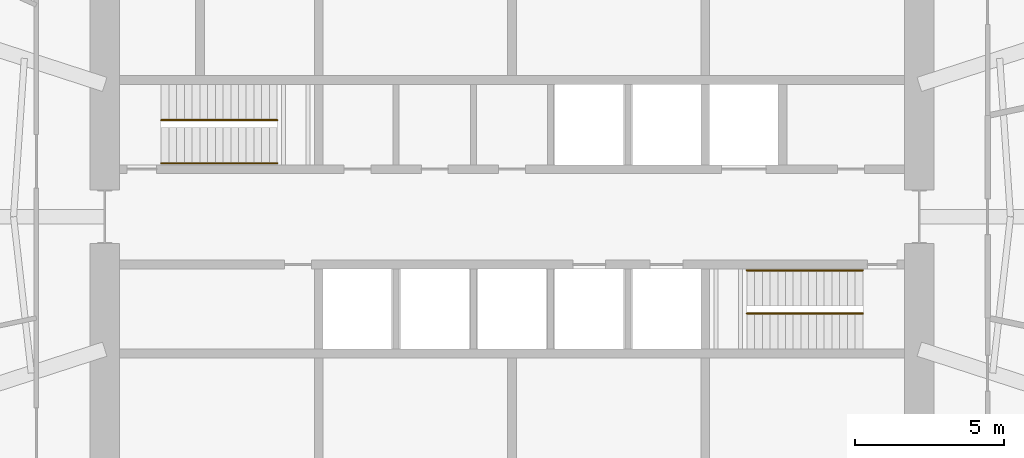
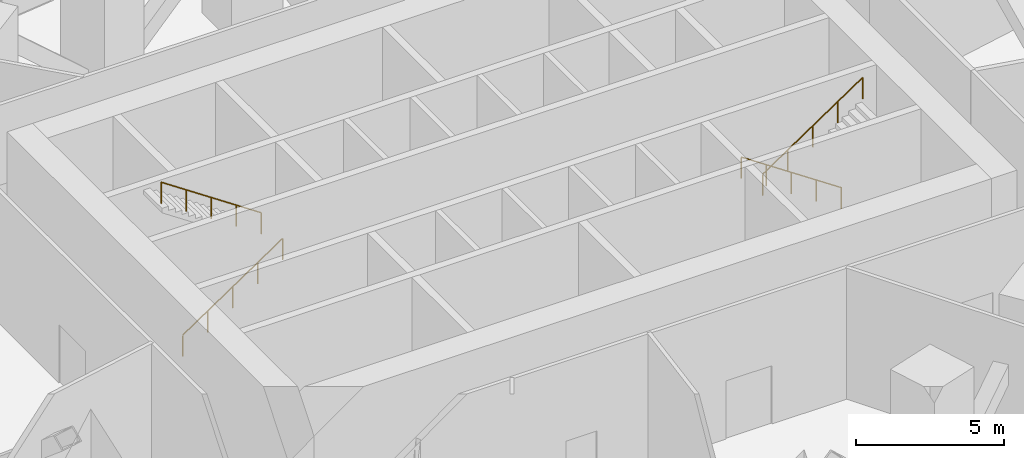
# One storey, part 13 of 13: 4 railings.
"""IFC4 building model written with IfcOpenShell, lengths in metres."""

from ifc_helpers import new_model, si_unit, direction, frame, origin, origin_2d, place, context, subcontext, project, spatial, circle, extrude, material, type_object, element, save


model = new_model("IFC4")

# Units and contexts
model_context = context("Model", 3, precision=1e-05, world=origin(), true_north=direction((0.0, 1.0)))
body_context = subcontext(model_context, "Body", "Model", "MODEL_VIEW")
ifc_project = project(units=[si_unit("LENGTHUNIT", "METRE"), si_unit("AREAUNIT", "SQUARE_METRE"), si_unit("VOLUMEUNIT", "CUBIC_METRE"), si_unit("PLANEANGLEUNIT", "RADIAN"), si_unit("MASSUNIT", "GRAM", prefix="KILO")], contexts=[model_context])

# Site, building, storey
site_placement = place(None, origin())
site = spatial("IfcSite", under=ifc_project, at=site_placement, CompositionType="ELEMENT")
building_placement = place(site_placement, origin())
building = spatial("IfcBuilding", under=site, at=building_placement, Name="Marramba Exchange Tower", CompositionType="ELEMENT")
storey_placement = place(building_placement, frame((0.0, 0.0, 86.800048828125)))
storey = spatial("IfcBuildingStorey", under=building, at=storey_placement, Name="L20", CompositionType="ELEMENT", Elevation=86.800048828125)

# Railings
ifc_material = material(Name="Stainless steel handrail", Category="steel")
railing_type = type_object("IfcRailingType", Name="Stair handrail 900", PredefinedType="HANDRAIL", material=ifc_material)
railing_1_placement = place(storey_placement, frame((-11.800048828125, 1.800048828125, 0.175048828125)))
element("IfcRailing", 1, at=railing_1_placement, inside=storey, type_object=railing_type, Name="Handrail HR1 ST1 L20 flight 1", PredefinedType="HANDRAIL", context=body_context, shape_type="SweptSolid", body=[
    extrude(circle(Radius=0.02392578125, at=origin_2d()), frame((0.0, 0.0, 0.8759765625), z_axis=(0.829597462249, 0.0, 0.558361935155), x_axis=(0.0, 1.0, 0.0)), (0.0, 0.0, 1.0), 4.701171875),
    extrude(circle(Radius=0.02099609375, at=origin_2d()), origin(), (0.0, 0.0, 1.0), 0.851806640625),
    extrude(circle(Radius=0.02099609375, at=origin_2d()), frame((0.97509765625, 0.0, 0.65625)), (0.0, 0.0, 1.0), 0.851806640625),
    extrude(circle(Radius=0.02099609375, at=origin_2d()), frame((1.9501953125, 0.0, 1.3125)), (0.0, 0.0, 1.0), 0.851806640625),
    extrude(circle(Radius=0.02099609375, at=origin_2d()), frame((2.925048828125, 0.0, 1.96875)), (0.0, 0.0, 1.0), 0.851806640625),
    extrude(circle(Radius=0.02099609375, at=origin_2d()), frame((3.900146484375, 0.0, 2.625)), (0.0, 0.0, 1.0), 0.851806640625),
])
for number, where, name in (
    (2, (-7.89990234375, 3.25, 2.974853515625), "Handrail HR1 ST1 L20 flight 2"),
    (3, (11.800048828125, -1.800048828125, 0.175048828125), "Handrail HR1 ST2 L20 flight 1"),
):
    element("IfcRailing", number, at=place(storey_placement, frame(where)), inside=storey, type_object=railing_type, Name=name, PredefinedType="HANDRAIL", context=body_context, shape_type="SweptSolid", body=[
        extrude(circle(Radius=0.02392578125, at=origin_2d()), frame((0.0, 0.0, 0.8759765625), z_axis=(-0.829597462249, 0.0, 0.558361935155), x_axis=(0.0, -1.0, 0.0)), (0.0, 0.0, 1.0), 4.701171875),
        extrude(circle(Radius=0.02099609375, at=origin_2d()), origin(), (0.0, 0.0, 1.0), 0.851806640625),
        extrude(circle(Radius=0.02099609375, at=origin_2d()), frame((-0.97509765625, 0.0, 0.65625)), (0.0, 0.0, 1.0), 0.851806640625),
        extrude(circle(Radius=0.02099609375, at=origin_2d()), frame((-1.9501953125, 0.0, 1.3125)), (0.0, 0.0, 1.0), 0.851806640625),
        extrude(circle(Radius=0.02099609375, at=origin_2d()), frame((-2.925048828125, 0.0, 1.96875)), (0.0, 0.0, 1.0), 0.851806640625),
        extrude(circle(Radius=0.02099609375, at=origin_2d()), frame((-3.900146484375, 0.0, 2.625)), (0.0, 0.0, 1.0), 0.851806640625),
    ])
railing_2_placement = place(storey_placement, frame((7.89990234375, -3.25, 2.974853515625)))
element("IfcRailing", 4, at=railing_2_placement, inside=storey, type_object=railing_type, Name="Handrail HR1 ST2 L20 flight 2", PredefinedType="HANDRAIL", context=body_context, shape_type="SweptSolid", body=[
    extrude(circle(Radius=0.02392578125, at=origin_2d()), frame((0.0, 0.0, 0.8759765625), z_axis=(0.829597462249, 0.0, 0.558361935155), x_axis=(0.0, 1.0, 0.0)), (0.0, 0.0, 1.0), 4.701171875),
    extrude(circle(Radius=0.02099609375, at=origin_2d()), origin(), (0.0, 0.0, 1.0), 0.851806640625),
    extrude(circle(Radius=0.02099609375, at=origin_2d()), frame((0.97509765625, 0.0, 0.65625)), (0.0, 0.0, 1.0), 0.851806640625),
    extrude(circle(Radius=0.02099609375, at=origin_2d()), frame((1.9501953125, 0.0, 1.3125)), (0.0, 0.0, 1.0), 0.851806640625),
    extrude(circle(Radius=0.02099609375, at=origin_2d()), frame((2.925048828125, 0.0, 1.96875)), (0.0, 0.0, 1.0), 0.851806640625),
    extrude(circle(Radius=0.02099609375, at=origin_2d()), frame((3.900146484375, 0.0, 2.625)), (0.0, 0.0, 1.0), 0.851806640625),
])

save(model, "model.ifc")
